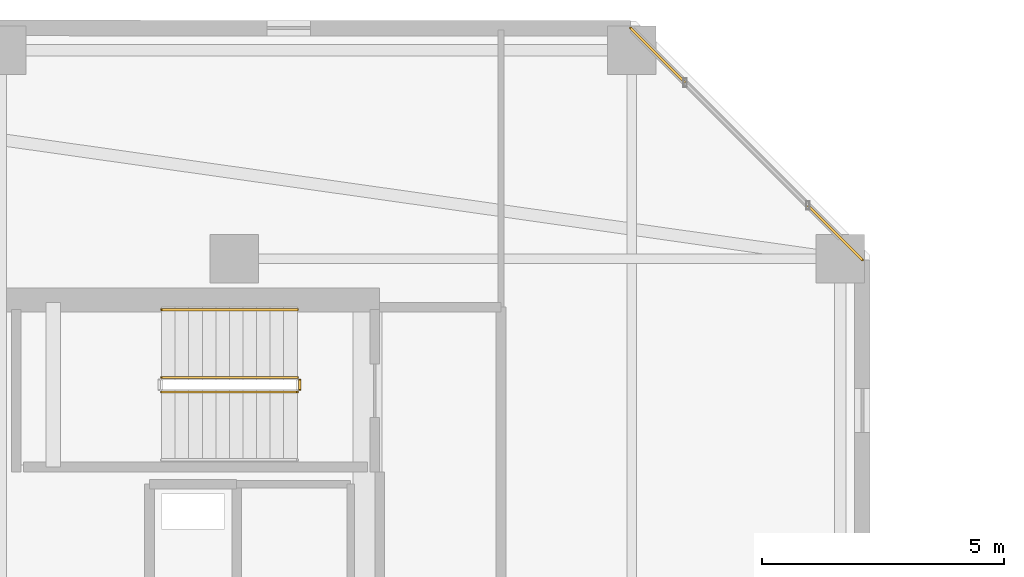
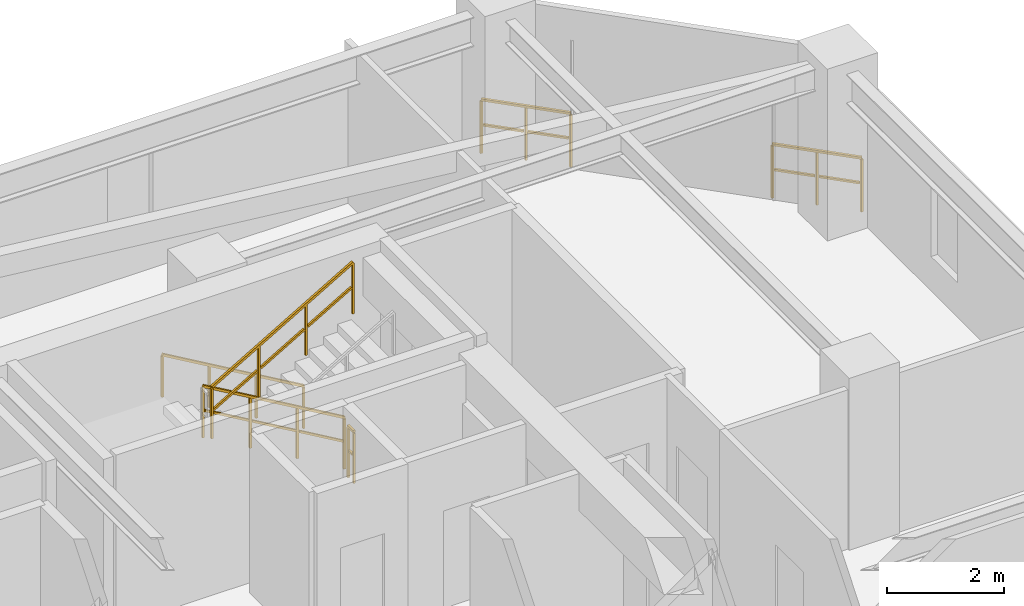
# One storey, part 30 of 32: 6 railings.
"""IFC4 building model written with IfcOpenShell, lengths in metres."""

from ifc_helpers import new_model, si_unit, direction, frame, origin, origin_2d, place, context, subcontext, project, spatial, rectangle, extrude, material, type_object, element, save


model = new_model("IFC4")

# Units and contexts
model_context = context("Model", 3, precision=1e-05, world=origin(), true_north=direction((0.0, 1.0)))
body_context = subcontext(model_context, "Body", "Model", "MODEL_VIEW")
ifc_project = project(units=[si_unit("LENGTHUNIT", "METRE"), si_unit("AREAUNIT", "SQUARE_METRE"), si_unit("VOLUMEUNIT", "CUBIC_METRE"), si_unit("PLANEANGLEUNIT", "RADIAN"), si_unit("MASSUNIT", "GRAM", prefix="KILO")], contexts=[model_context])

# Site, building, storey
site_placement = place(None, origin())
site = spatial("IfcSite", under=ifc_project, at=site_placement, CompositionType="ELEMENT")
building_placement = place(site_placement, origin())
building = spatial("IfcBuilding", under=site, at=building_placement, Name="Thornwick Lancets Civic Towers", CompositionType="ELEMENT")
storey_placement = place(building_placement, frame((0.0, 0.0, 247.5)))
storey = spatial("IfcBuildingStorey", under=building, at=storey_placement, Name="L66", CompositionType="ELEMENT", Elevation=247.5)

# Railings
ifc_material_1 = material(Name="Brushed stainless steel S355", Category="steel")
railing_type_1 = type_object("IfcRailingType", Name="RAIL_HANDRAIL", PredefinedType="HANDRAIL", material=ifc_material_1)
railing_1_placement = place(storey_placement, frame((31.60009765625, 38.949951171875, 0.16357421875)))
element("IfcRailing", 1, at=railing_1_placement, inside=storey, type_object=railing_type_1, Name="L66 ST-A2 stair handrail 1", PredefinedType="HANDRAIL", context=body_context, shape_type="SweptSolid", body=[
    extrude(rectangle(XDim=0.048095703125, YDim=0.048095703125, at=origin_2d()), frame((0.0, 0.0, 0.8857421875), z_axis=(-0.863360870873, 0.0, 0.504586966384), x_axis=(0.0, -1.0, 0.0)), (0.0, 0.0, 1.0), 3.2431640625),
    extrude(rectangle(XDim=0.0419921875, YDim=0.0419921875, at=origin_2d()), origin(), (0.0, 0.0, 1.0), 0.855712890625),
    extrude(rectangle(XDim=0.0419921875, YDim=0.0419921875, at=origin_2d()), frame((-0.933349609375, 0.0, 0.54541015625)), (0.0, 0.0, 1.0), 0.855712890625),
    extrude(rectangle(XDim=0.0419921875, YDim=0.0419921875, at=origin_2d()), frame((-1.86669921875, 0.0, 1.091064453125)), (0.0, 0.0, 1.0), 0.855712890625),
    extrude(rectangle(XDim=0.0419921875, YDim=0.0419921875, at=origin_2d()), frame((-2.800048828125, 0.0, 1.636474609375)), (0.0, 0.0, 1.0), 0.855712890625),
])
ifc_material_2 = material(Name="Steel S355JR", Category="steel")
railing_type_2 = type_object("IfcRailingType", Name="RAIL_STAIR_GUARD", PredefinedType="GUARDRAIL", material=ifc_material_2)
railing_2_placement = place(storey_placement, frame((31.60009765625, 37.550048828125, 0.16357421875)))
element("IfcRailing", 2, at=railing_2_placement, inside=storey, type_object=railing_type_2, Name="L66 ST-A2 stair guard 1", PredefinedType="GUARDRAIL", context=body_context, shape_type="SweptSolid", body=[
    extrude(rectangle(XDim=0.048095703125, YDim=0.048095703125, at=origin_2d()), frame((0.0, 0.0, 1.076171875), z_axis=(-0.863360870873, 0.0, 0.504586966384), x_axis=(0.0, -1.0, 0.0)), (0.0, 0.0, 1.0), 3.2431640625),
    extrude(rectangle(XDim=0.0419921875, YDim=0.0419921875, at=origin_2d()), frame((-0.032470703125, 0.0, 0.591064453125), z_axis=(-0.863360870873, 0.0, 0.504586966384), x_axis=(0.0, -1.0, 0.0)), (0.0, 0.0, 1.0), 1.006103515625),
    extrude(rectangle(XDim=0.0419921875, YDim=0.0419921875, at=origin_2d()), frame((-0.9658203125, 0.0, 1.136474609375), z_axis=(-0.863360870873, 0.0, 0.504586966384), x_axis=(0.0, -1.0, 0.0)), (0.0, 0.0, 1.0), 1.006103515625),
    extrude(rectangle(XDim=0.0419921875, YDim=0.0419921875, at=origin_2d()), frame((-1.899169921875, 0.0, 1.681884765625), z_axis=(-0.863360870873, 0.0, 0.504586966384), x_axis=(0.0, -1.0, 0.0)), (0.0, 0.0, 1.0), 1.006103515625),
    extrude(rectangle(XDim=0.0419921875, YDim=0.0419921875, at=origin_2d()), origin(), (0.0, 0.0, 1.0), 1.0458984375),
    extrude(rectangle(XDim=0.0419921875, YDim=0.0419921875, at=origin_2d()), frame((-0.933349609375, 0.0, 0.54541015625)), (0.0, 0.0, 1.0), 1.0458984375),
    extrude(rectangle(XDim=0.0419921875, YDim=0.0419921875, at=origin_2d()), frame((-1.86669921875, 0.0, 1.091064453125)), (0.0, 0.0, 1.0), 1.0458984375),
    extrude(rectangle(XDim=0.0419921875, YDim=0.0419921875, at=origin_2d()), frame((-2.800048828125, 0.0, 1.636474609375)), (0.0, 0.0, 1.0), 1.0458984375),
])
railing_3_placement = place(storey_placement, frame((28.800048828125, 37.25, 1.963623046875)))
element("IfcRailing", 3, at=railing_3_placement, inside=storey, type_object=railing_type_2, Name="L66 ST-A2 stair guard 3", PredefinedType="GUARDRAIL", context=body_context, shape_type="SweptSolid", body=[
    extrude(rectangle(XDim=0.048095703125, YDim=0.048095703125, at=origin_2d()), frame((0.0, 0.0, 1.076171875), z_axis=(0.863360870873, 0.0, 0.504586966384), x_axis=(0.0, 1.0, 0.0)), (0.0, 0.0, 1.0), 3.2431640625),
    extrude(rectangle(XDim=0.0419921875, YDim=0.0419921875, at=origin_2d()), frame((0.032470703125, 0.0, 0.591064453125), z_axis=(0.863360870873, 0.0, 0.504586966384), x_axis=(0.0, 1.0, 0.0)), (0.0, 0.0, 1.0), 1.006103515625),
    extrude(rectangle(XDim=0.0419921875, YDim=0.0419921875, at=origin_2d()), frame((0.9658203125, 0.0, 1.136474609375), z_axis=(0.863360870873, 0.0, 0.504586966384), x_axis=(0.0, 1.0, 0.0)), (0.0, 0.0, 1.0), 1.006103515625),
    extrude(rectangle(XDim=0.0419921875, YDim=0.0419921875, at=origin_2d()), frame((1.899169921875, 0.0, 1.681884765625), z_axis=(0.863360870873, 0.0, 0.504586966384), x_axis=(0.0, 1.0, 0.0)), (0.0, 0.0, 1.0), 1.006103515625),
    extrude(rectangle(XDim=0.0419921875, YDim=0.0419921875, at=origin_2d()), origin(), (0.0, 0.0, 1.0), 1.0458984375),
    extrude(rectangle(XDim=0.0419921875, YDim=0.0419921875, at=origin_2d()), frame((0.933349609375, 0.0, 0.54541015625)), (0.0, 0.0, 1.0), 1.0458984375),
    extrude(rectangle(XDim=0.0419921875, YDim=0.0419921875, at=origin_2d()), frame((1.86669921875, 0.0, 1.091064453125)), (0.0, 0.0, 1.0), 1.0458984375),
    extrude(rectangle(XDim=0.0419921875, YDim=0.0419921875, at=origin_2d()), frame((2.800048828125, 0.0, 1.636474609375)), (0.0, 0.0, 1.0), 1.0458984375),
])
railing_4_placement = place(storey_placement, frame((31.64990234375, 37.5, 0.0)))
element("IfcRailing", 4, at=railing_4_placement, inside=storey, type_object=railing_type_2, Name="L66 ST-A2 stair guard 4", PredefinedType="GUARDRAIL", context=body_context, shape_type="SweptSolid", body=[
    extrude(rectangle(XDim=0.048095703125, YDim=0.048095703125, at=origin_2d()), frame((0.0, 0.0, 1.076171875), z_axis=(0.0, -1.0, 0.0), x_axis=(1.0, 0.0, 0.0)), (0.0, 0.0, 1.0), 0.199951171875),
    extrude(rectangle(XDim=0.0419921875, YDim=0.0419921875, at=origin_2d()), frame((0.0, -0.03759765625, 0.572021484375), z_axis=(0.0, -1.0, 0.0), x_axis=(1.0, 0.0, 0.0)), (0.0, 0.0, 1.0), 0.125),
    extrude(rectangle(XDim=0.0419921875, YDim=0.0419921875, at=origin_2d()), origin(), (0.0, 0.0, 1.0), 1.0458984375),
    extrude(rectangle(XDim=0.0419921875, YDim=0.0419921875, at=origin_2d()), frame((0.0, -0.199951171875, 0.0)), (0.0, 0.0, 1.0), 1.0458984375),
])
ifc_material_3 = material(Name="Terracotta-capped laminated glass balustrade S355", Category="masonry")
railing_type_3 = type_object("IfcRailingType", Name="RAIL_TERR_GUARD", PredefinedType="GUARDRAIL", material=ifc_material_3)
for number, where, name in (
    (5, (43.25732421875, 39.97509765625, 0.0), "L66 Tower A Chamfer Spandrel Guard E3-1"),
    (6, (39.60009765625, 43.63232421875, 0.0), "L66 Tower A Chamfer Spandrel Guard E3-2"),
):
    element("IfcRailing", number, at=place(storey_placement, frame(where)), inside=storey, type_object=railing_type_3, Name=name, PredefinedType="GUARDRAIL", context=body_context, shape_type="SweptSolid", body=[
        extrude(rectangle(XDim=0.048095703125, YDim=0.048095703125, at=origin_2d()), frame((0.0, 0.0, 1.1259765625), z_axis=(-0.707106781187, 0.707106781187, 0.0), x_axis=(-0.707106781187, -0.707106781187, 0.0)), (0.0, 0.0, 1.0), 1.591064453125),
        extrude(rectangle(XDim=0.0419921875, YDim=0.0419921875, at=origin_2d()), frame((-0.026611328125, 0.026611328125, 0.597900390625), z_axis=(-0.707106781187, 0.707106781187, 0.0), x_axis=(-0.707106781187, -0.707106781187, 0.0)), (0.0, 0.0, 1.0), 0.720458984375),
        extrude(rectangle(XDim=0.0419921875, YDim=0.0419921875, at=origin_2d()), frame((-0.589111328125, 0.589111328125, 0.597900390625), z_axis=(-0.707106781187, 0.707106781187, 0.0), x_axis=(-0.707106781187, -0.707106781187, 0.0)), (0.0, 0.0, 1.0), 0.720458984375),
        extrude(rectangle(XDim=0.0419921875, YDim=0.0419921875, at=origin_2d()), origin(), (0.0, 0.0, 1.0), 1.095703125),
        extrude(rectangle(XDim=0.0419921875, YDim=0.0419921875, at=origin_2d()), frame((-0.5625, 0.5625, 0.0)), (0.0, 0.0, 1.0), 1.095703125),
        extrude(rectangle(XDim=0.0419921875, YDim=0.0419921875, at=origin_2d()), frame((-1.125, 1.125, 0.0)), (0.0, 0.0, 1.0), 1.095703125),
    ])

save(model, "model.ifc")
